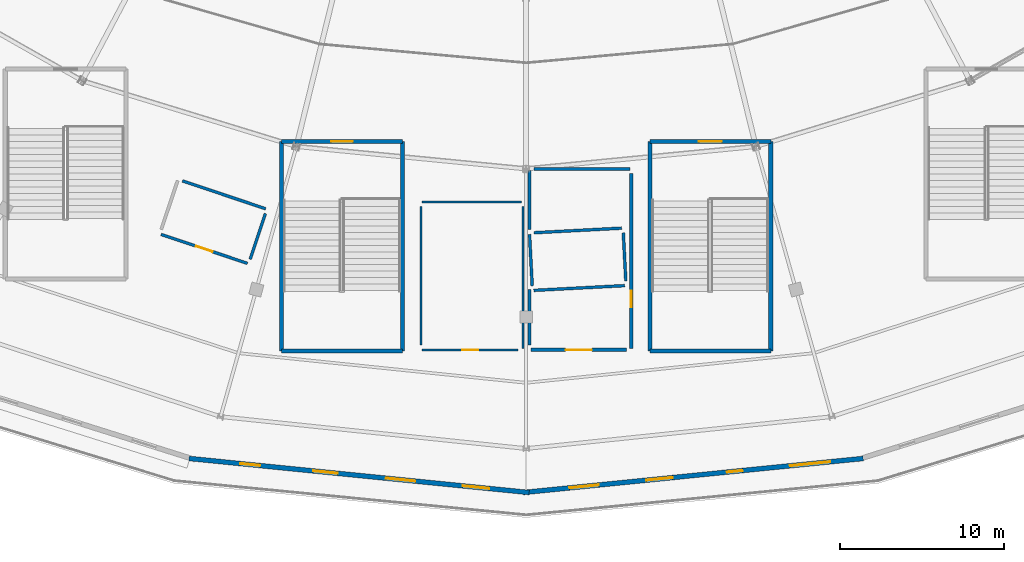
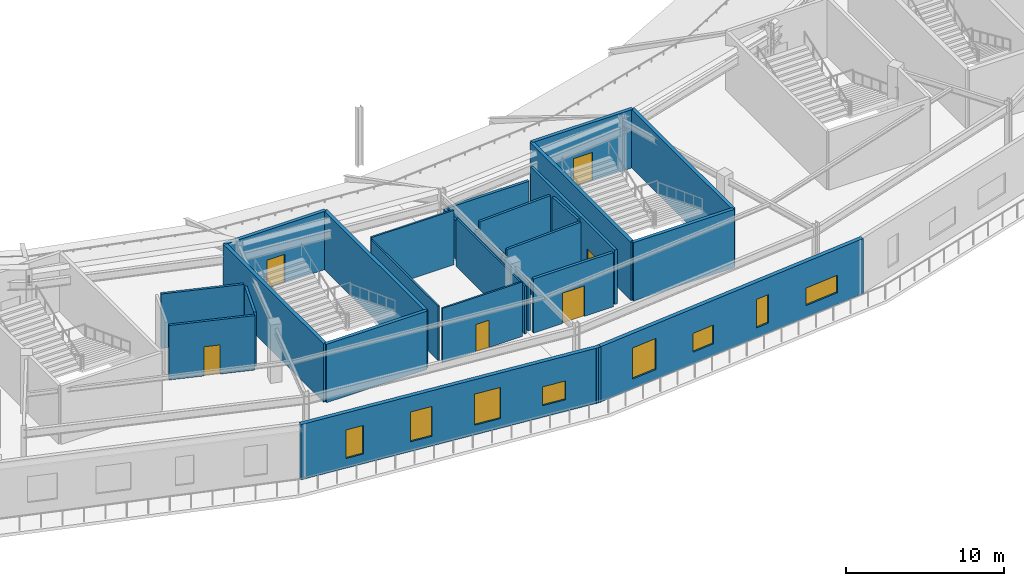
# One storey, part 34 of 63: 26 walls, 8 windows, 6 doors, 14 openings.
"""IFC4 building model written with IfcOpenShell, lengths in metres."""

from ifc_helpers import new_model, si_unit, direction, frame, frame_2d, origin, place, context, subcontext, project, spatial, rectangle, extrude, material, layer, layer_set, type_object, element, fill, save


model = new_model("IFC4")

# Units and contexts
model_context = context("Model", 3, precision=1e-05, world=origin(), true_north=direction((0.0, 1.0)))
body_context = subcontext(model_context, "Body", "Model", "MODEL_VIEW")
ifc_project = project(units=[si_unit("LENGTHUNIT", "METRE"), si_unit("AREAUNIT", "SQUARE_METRE"), si_unit("VOLUMEUNIT", "CUBIC_METRE"), si_unit("PLANEANGLEUNIT", "RADIAN"), si_unit("MASSUNIT", "GRAM", prefix="KILO")], contexts=[model_context])

# Site, building, storey
site_placement = place(None, origin())
site = spatial("IfcSite", under=ifc_project, at=site_placement, CompositionType="ELEMENT")
building_placement = place(site_placement, origin())
building = spatial("IfcBuilding", under=site, at=building_placement, Name="Kalgoora Escarpment Arena", CompositionType="ELEMENT")
storey_placement = place(building_placement, frame((0.0, 0.0, 14.39990234375)))
storey = spatial("IfcBuildingStorey", under=building, at=storey_placement, Name="L03", CompositionType="ELEMENT", Elevation=14.39990234375)

# Wall, openings, windows
ifc_material_1 = material(Name="Upper concourse insulated spandrel wall 40 MPa", Category="concrete")
ifc_layer_1 = layer(ifc_material_1, 0.2900390625)
ifc_layer_set_1 = layer_set([ifc_layer_1], Name="WAL-EXT-290")
wall_type_1 = type_object("IfcWallType", Name="WAL-EXT-290", PredefinedType="SOLIDWALL", material=ifc_layer_set_1)
wall_1_placement = place(storey_placement, frame((112.89599609375, 6.398681640625, 0.0), z_axis=(0.0, 0.0, 1.0), x_axis=(-0.995020426289, -0.099671215838, 0.0)))
wall_1 = element("IfcWall", 1, at=wall_1_placement, inside=storey, type_object=wall_type_1, Name="L03 limestone-faced external wall 071", PredefinedType="SOLIDWALL", context=body_context, shape_type="SweptSolid", body=[
    extrude(rectangle(XDim=20.78125, YDim=0.2900390625, at=frame_2d((10.390625, 0.0))), origin(), (0.0, 0.0, 1.0), 4.260009765625),
])
opening_1_placement = place(wall_1_placement, frame((2.02490234375, 0.0, 0.89990234375)))
opening_1 = element("IfcOpeningElement", 2, at=opening_1_placement, cuts=wall_1, Name="Opening W-15", PredefinedType="OPENING", context=body_context, shape_type="SweptSolid", body=[
    extrude(rectangle(XDim=2.449951171875, YDim=1.35009765625, at=frame_2d((1.22509765625, 0.675048828125))), frame((0.0, 0.155029296875, 0.0), z_axis=(0.0, -1.0, 0.0), x_axis=(1.0, 0.0, 0.0)), (0.0, 0.0, 1.0), 0.31005859375),
])
opening_2_placement = place(wall_1_placement, frame((7.375, 0.0, 0.75)))
opening_2 = element("IfcOpeningElement", 3, at=opening_2_placement, cuts=wall_1, Name="Opening W-17", PredefinedType="OPENING", context=body_context, shape_type="SweptSolid", body=[
    extrude(rectangle(XDim=0.949951171875, YDim=2.199951171875, at=frame_2d((0.47509765625, 1.10009765625))), frame((0.0, 0.155029296875, 0.0), z_axis=(0.0, -1.0, 0.0), x_axis=(1.0, 0.0, 0.0)), (0.0, 0.0, 1.0), 0.31005859375),
])
opening_3_placement = place(wall_1_placement, frame((11.64990234375, 0.0, 0.89990234375)))
opening_3 = element("IfcOpeningElement", 4, at=opening_3_placement, cuts=wall_1, Name="Opening W-19", PredefinedType="OPENING", context=body_context, shape_type="SweptSolid", body=[
    extrude(rectangle(XDim=1.60009765625, YDim=1.449951171875, at=frame_2d((0.800048828125, 0.72509765625))), frame((0.0, 0.155029296875, 0.0), z_axis=(0.0, -1.0, 0.0), x_axis=(1.0, 0.0, 0.0)), (0.0, 0.0, 1.0), 0.31005859375),
])
opening_4_placement = place(wall_1_placement, frame((16.14990234375, 0.0, 0.75)))
opening_4 = element("IfcOpeningElement", 5, at=opening_4_placement, cuts=wall_1, Name="Opening W-01", PredefinedType="OPENING", context=body_context, shape_type="SweptSolid", body=[
    extrude(rectangle(XDim=1.800048828125, YDim=2.39990234375, at=frame_2d((0.89990234375, 1.199951171875))), frame((0.0, 0.155029296875, 0.0), z_axis=(0.0, -1.0, 0.0), x_axis=(1.0, 0.0, 0.0)), (0.0, 0.0, 1.0), 0.31005859375),
])
ifc_material_2 = material(Name="Low-E solar-control double glazing in champagne frame", Category="glass")
window_type_1 = type_object("IfcWindowType", Name="WIN-BOH-1600x1450", PartitioningType="SINGLE_PANEL", PredefinedType="WINDOW", material=ifc_material_2)
window_1_placement = place(opening_3_placement, origin())
window_1 = element("IfcWindow", 6, at=window_1_placement, inside=storey, type_object=window_type_1, Name="L03 scheduled facade window 117", OverallHeight=1.449951171875, OverallWidth=1.60009765625, PartitioningType="SINGLE_PANEL", PredefinedType="WINDOW", context=body_context, shape_type="SweptSolid", body=[
    extrude(rectangle(XDim=1.60009765625, YDim=1.449951171875, at=frame_2d((0.800048828125, 0.72509765625))), frame((0.0, 0.030029296875, 0.0), z_axis=(0.0, -1.0, 0.0), x_axis=(1.0, 0.0, 0.0)), (0.0, 0.0, 1.0), 0.06005859375),
])
fill(opening_3, window_1)
ifc_material_3 = material(Name="Low-E solar-control double glazing in champagne frame", Category="glass")
window_type_2 = type_object("IfcWindowType", Name="WIN-CLER-2450x1350", PartitioningType="SINGLE_PANEL", PredefinedType="WINDOW", material=ifc_material_3)
window_2_placement = place(opening_1_placement, origin())
window_2 = element("IfcWindow", 7, at=window_2_placement, inside=storey, type_object=window_type_2, Name="L03 scheduled facade window 115", OverallHeight=1.35009765625, OverallWidth=2.449951171875, PartitioningType="SINGLE_PANEL", PredefinedType="WINDOW", context=body_context, shape_type="SweptSolid", body=[
    extrude(rectangle(XDim=2.449951171875, YDim=1.35009765625, at=frame_2d((1.22509765625, 0.675048828125))), frame((0.0, 0.030029296875, 0.0), z_axis=(0.0, -1.0, 0.0), x_axis=(1.0, 0.0, 0.0)), (0.0, 0.0, 1.0), 0.06005859375),
])
fill(opening_1, window_2)
ifc_material_4 = material(Name="Low-E solar-control double glazing in champagne frame", Category="glass")
window_type_3 = type_object("IfcWindowType", Name="WIN-DECO-1800x2400", PartitioningType="SINGLE_PANEL", PredefinedType="WINDOW", material=ifc_material_4)
window_3_placement = place(opening_4_placement, origin())
window_3 = element("IfcWindow", 8, at=window_3_placement, inside=storey, type_object=window_type_3, Name="L03 scheduled facade window 118", OverallHeight=2.39990234375, OverallWidth=1.800048828125, PartitioningType="SINGLE_PANEL", PredefinedType="WINDOW", context=body_context, shape_type="SweptSolid", body=[
    extrude(rectangle(XDim=1.800048828125, YDim=2.39990234375, at=frame_2d((0.89990234375, 1.199951171875))), frame((0.0, 0.030029296875, 0.0), z_axis=(0.0, -1.0, 0.0), x_axis=(1.0, 0.0, 0.0)), (0.0, 0.0, 1.0), 0.06005859375),
])
fill(opening_4, window_3)
ifc_material_5 = material(Name="Low-E solar-control double glazing in champagne frame", Category="glass")
window_type_4 = type_object("IfcWindowType", Name="WIN-SLOT-0950x2200", PartitioningType="SINGLE_PANEL", PredefinedType="WINDOW", material=ifc_material_5)
window_4_placement = place(opening_2_placement, origin())
window_4 = element("IfcWindow", 9, at=window_4_placement, inside=storey, type_object=window_type_4, Name="L03 scheduled facade window 116", OverallHeight=2.199951171875, OverallWidth=0.949951171875, PartitioningType="SINGLE_PANEL", PredefinedType="WINDOW", context=body_context, shape_type="SweptSolid", body=[
    extrude(rectangle(XDim=0.949951171875, YDim=2.199951171875, at=frame_2d((0.47509765625, 1.10009765625))), frame((0.0, 0.030029296875, 0.0), z_axis=(0.0, -1.0, 0.0), x_axis=(1.0, 0.0, 0.0)), (0.0, 0.0, 1.0), 0.06005859375),
])
fill(opening_2, window_4)

wall_2_placement = place(storey_placement, frame((92.581787109375, 4.327392578125, 0.0), z_axis=(0.0, 0.0, 1.0), x_axis=(-0.995020542998, 0.099670050731, 0.0)))
wall_2 = element("IfcWall", 10, at=wall_2_placement, inside=storey, type_object=wall_type_1, Name="L03 limestone-faced external wall 072", PredefinedType="SOLIDWALL", context=body_context, shape_type="SweptSolid", body=[
    extrude(rectangle(XDim=20.781494140625, YDim=0.2900390625, at=frame_2d((10.390625, 0.0))), origin(), (0.0, 0.0, 1.0), 4.260009765625),
])
opening_5_placement = place(wall_2_placement, frame((2.449951171875, 0.0, 0.89990234375)))
opening_5 = element("IfcOpeningElement", 11, at=opening_5_placement, cuts=wall_2, Name="Opening W-19", PredefinedType="OPENING", context=body_context, shape_type="SweptSolid", body=[
    extrude(rectangle(XDim=1.60009765625, YDim=1.449951171875, at=frame_2d((0.800048828125, 0.72509765625))), frame((0.0, 0.155029296875, 0.0), z_axis=(0.0, -1.0, 0.0), x_axis=(1.0, 0.0, 0.0)), (0.0, 0.0, 1.0), 0.31005859375),
])
opening_6_placement = place(wall_2_placement, frame((6.949951171875, 0.0, 0.75)))
opening_6 = element("IfcOpeningElement", 12, at=opening_6_placement, cuts=wall_2, Name="Opening W-01", PredefinedType="OPENING", context=body_context, shape_type="SweptSolid", body=[
    extrude(rectangle(XDim=1.800048828125, YDim=2.39990234375, at=frame_2d((0.89990234375, 1.199951171875))), frame((0.0, 0.155029296875, 0.0), z_axis=(0.0, -1.0, 0.0), x_axis=(1.0, 0.0, 0.0)), (0.0, 0.0, 1.0), 0.31005859375),
])
opening_7_placement = place(wall_2_placement, frame((11.699951171875, 0.0, 0.75)))
opening_7 = element("IfcOpeningElement", 13, at=opening_7_placement, cuts=wall_2, Name="Opening W-03", PredefinedType="OPENING", context=body_context, shape_type="SweptSolid", body=[
    extrude(rectangle(XDim=1.5, YDim=2.300048828125, at=frame_2d((0.75, 1.14990234375))), frame((0.0, 0.155029296875, 0.0), z_axis=(0.0, -1.0, 0.0), x_axis=(1.0, 0.0, 0.0)), (0.0, 0.0, 1.0), 0.31005859375),
])
opening_8_placement = place(wall_2_placement, frame((16.449951171875, 0.0, 0.75)))
opening_8 = element("IfcOpeningElement", 14, at=opening_8_placement, cuts=wall_2, Name="Opening W-05", PredefinedType="OPENING", context=body_context, shape_type="SweptSolid", body=[
    extrude(rectangle(XDim=1.199951171875, YDim=2.199951171875, at=frame_2d((0.60009765625, 1.10009765625))), frame((0.0, 0.155029296875, 0.0), z_axis=(0.0, -1.0, 0.0), x_axis=(1.0, 0.0, 0.0)), (0.0, 0.0, 1.0), 0.31005859375),
])
window_5_placement = place(opening_5_placement, origin())
window_5 = element("IfcWindow", 15, at=window_5_placement, inside=storey, type_object=window_type_1, Name="L03 scheduled facade window 119", OverallHeight=1.449951171875, OverallWidth=1.60009765625, PartitioningType="SINGLE_PANEL", PredefinedType="WINDOW", context=body_context, shape_type="SweptSolid", body=[
    extrude(rectangle(XDim=1.60009765625, YDim=1.449951171875, at=frame_2d((0.800048828125, 0.72509765625))), frame((0.0, 0.030029296875, 0.0), z_axis=(0.0, -1.0, 0.0), x_axis=(1.0, 0.0, 0.0)), (0.0, 0.0, 1.0), 0.06005859375),
])
fill(opening_5, window_5)
ifc_material_6 = material(Name="Low-E solar-control double glazing in champagne frame", Category="glass")
window_type_5 = type_object("IfcWindowType", Name="WIN-DECO-1200x2200", PartitioningType="SINGLE_PANEL", PredefinedType="WINDOW", material=ifc_material_6)
window_6_placement = place(opening_8_placement, origin())
window_6 = element("IfcWindow", 16, at=window_6_placement, inside=storey, type_object=window_type_5, Name="L03 scheduled facade window 122", OverallHeight=2.199951171875, OverallWidth=1.199951171875, PartitioningType="SINGLE_PANEL", PredefinedType="WINDOW", context=body_context, shape_type="SweptSolid", body=[
    extrude(rectangle(XDim=1.199951171875, YDim=2.199951171875, at=frame_2d((0.60009765625, 1.10009765625))), frame((0.0, 0.030029296875, 0.0), z_axis=(0.0, -1.0, 0.0), x_axis=(1.0, 0.0, 0.0)), (0.0, 0.0, 1.0), 0.06005859375),
])
fill(opening_8, window_6)
ifc_material_7 = material(Name="Low-E solar-control double glazing in champagne frame", Category="glass")
window_type_6 = type_object("IfcWindowType", Name="WIN-DECO-1500x2300", PartitioningType="SINGLE_PANEL", PredefinedType="WINDOW", material=ifc_material_7)
window_7_placement = place(opening_7_placement, origin())
window_7 = element("IfcWindow", 17, at=window_7_placement, inside=storey, type_object=window_type_6, Name="L03 scheduled facade window 121", OverallHeight=2.300048828125, OverallWidth=1.5, PartitioningType="SINGLE_PANEL", PredefinedType="WINDOW", context=body_context, shape_type="SweptSolid", body=[
    extrude(rectangle(XDim=1.5, YDim=2.300048828125, at=frame_2d((0.75, 1.14990234375))), frame((0.0, 0.030029296875, 0.0), z_axis=(0.0, -1.0, 0.0), x_axis=(1.0, 0.0, 0.0)), (0.0, 0.0, 1.0), 0.06005859375),
])
fill(opening_7, window_7)
window_8_placement = place(opening_6_placement, origin())
window_8 = element("IfcWindow", 18, at=window_8_placement, inside=storey, type_object=window_type_3, Name="L03 scheduled facade window 120", OverallHeight=2.39990234375, OverallWidth=1.800048828125, PartitioningType="SINGLE_PANEL", PredefinedType="WINDOW", context=body_context, shape_type="SweptSolid", body=[
    extrude(rectangle(XDim=1.800048828125, YDim=2.39990234375, at=frame_2d((0.89990234375, 1.199951171875))), frame((0.0, 0.030029296875, 0.0), z_axis=(0.0, -1.0, 0.0), x_axis=(1.0, 0.0, 0.0)), (0.0, 0.0, 1.0), 0.06005859375),
])
fill(opening_6, window_8)

# Walls
ifc_material_8 = material(Name="Acoustic masonry plant wall Concrete N40 (fc' 40 MPa)", Category="masonry")
ifc_layer_2 = layer(ifc_material_8, 0.205078125)
ifc_layer_set_2 = layer_set([ifc_layer_2], Name="WAL-PLANT-205")
wall_type_2 = type_object("IfcWallType", Name="WAL-PLANT-205", PredefinedType="SOLIDWALL", material=ifc_layer_set_2)
wall_3_placement = place(storey_placement, frame((92.60009765625, 20.330810546875, 0.0), z_axis=(0.0, 0.0, 1.0), x_axis=(0.0, 1.0, 0.0)))
element("IfcWall", 19, at=wall_3_placement, inside=storey, type_object=wall_type_2, Name="L03 South Concourse Rigging Store partition wall", PredefinedType="SOLIDWALL", context=body_context, shape_type="SweptSolid", body=[
    extrude(rectangle(XDim=3.589111328125, YDim=0.205078125, at=frame_2d((1.79443359375, 0.0))), origin(), (0.0, 0.0, 1.0), 2.943115234375),
])
wall_4_placement = place(storey_placement, frame((92.884765625, 24.0, 0.0), z_axis=(0.0, 0.0, 1.0), x_axis=(1.0, 0.0, 0.0)))
element("IfcWall", 20, at=wall_4_placement, inside=storey, type_object=wall_type_2, Name="L03 South Concourse Rigging Store partition wall", PredefinedType="SOLIDWALL", context=body_context, shape_type="SweptSolid", body=[
    extrude(rectangle(XDim=5.835205078125, YDim=0.205078125, at=frame_2d((2.91748046875, 0.0))), origin(), (0.0, 0.0, 1.0), 2.943115234375),
])

# Wall, opening, door
wall_5_placement = place(storey_placement, frame((98.800048828125, 23.715087890625, 0.0), z_axis=(0.0, 0.0, 1.0), x_axis=(0.0, -1.0, 0.0)))
wall_5 = element("IfcWall", 21, at=wall_5_placement, inside=storey, type_object=wall_type_2, Name="L03 South Concourse Rigging Store partition wall", PredefinedType="SOLIDWALL", context=body_context, shape_type="SweptSolid", body=[
    extrude(rectangle(XDim=10.635009765625, YDim=0.205078125, at=frame_2d((5.3173828125, 0.0))), origin(), (0.0, 0.0, 1.0), 4.18017578125),
])
opening_9_placement = place(wall_5_placement, frame((7.1298828125, 0.0, 0.0)))
opening_9 = element("IfcOpeningElement", 22, at=opening_9_placement, cuts=wall_5, Name="Opening FD-I115", PredefinedType="OPENING", context=body_context, shape_type="SweptSolid", body=[
    extrude(rectangle(XDim=1.0, YDim=2.199951171875, at=frame_2d((0.5, 1.10009765625))), frame((0.0, 0.112548828125, 0.0), z_axis=(0.0, -1.0, 0.0), x_axis=(1.0, 0.0, 0.0)), (0.0, 0.0, 1.0), 0.22509765625),
])
ifc_material_9 = material(Name="Veneered timber acoustic suite entrance door", Category="wood")
door_type_1 = type_object("IfcDoorType", Name="DR-SUITE-1000", OperationType="NOTDEFINED", PredefinedType="DOOR", material=ifc_material_9)
door_1_placement = place(opening_9_placement, origin())
door_1 = element("IfcDoor", 23, at=door_1_placement, inside=storey, type_object=door_type_1, Name="Hospitality Suite HS35 entrance door", OperationType="SINGLE_SWING_LEFT", OverallHeight=2.199951171875, OverallWidth=1.0, PredefinedType="DOOR", context=body_context, shape_type="SweptSolid", body=[
    extrude(rectangle(XDim=1.0, YDim=2.199951171875, at=frame_2d((0.5, 1.10009765625))), frame((0.0, 0.02490234375, 0.0), z_axis=(0.0, -1.0, 0.0), x_axis=(1.0, 0.0, 0.0)), (0.0, 0.0, 1.0), 0.050048828125),
])
fill(opening_9, door_1)

wall_6_placement = place(storey_placement, frame((98.51513671875, 13.0, 0.0), z_axis=(0.0, 0.0, 1.0), x_axis=(-1.0, 0.0, 0.0)))
wall_6 = element("IfcWall", 24, at=wall_6_placement, inside=storey, type_object=wall_type_2, Name="L03 South Concourse Rigging Store partition wall", PredefinedType="SOLIDWALL", context=body_context, shape_type="SweptSolid", body=[
    extrude(rectangle(XDim=5.835205078125, YDim=0.205078125, at=frame_2d((2.91748046875, 0.0))), origin(), (0.0, 0.0, 1.0), 4.18017578125),
])
opening_10_placement = place(wall_6_placement, frame((2.11767578125, 0.0, 0.0)))
opening_10 = element("IfcOpeningElement", 25, at=opening_10_placement, cuts=wall_6, Name="Opening FD-I129", PredefinedType="OPENING", context=body_context, shape_type="SweptSolid", body=[
    extrude(rectangle(XDim=1.60009765625, YDim=2.35009765625, at=frame_2d((0.800048828125, 1.175048828125))), frame((0.0, 0.112548828125, 0.0), z_axis=(0.0, -1.0, 0.0), x_axis=(1.0, 0.0, 0.0)), (0.0, 0.0, 1.0), 0.22509765625),
])
ifc_material_10 = material(Name="Acoustic steel double plant room door", Category="steel")
door_type_2 = type_object("IfcDoorType", Name="DR-PLANT-1600", OperationType="NOTDEFINED", PredefinedType="DOOR", material=ifc_material_10)
door_2_placement = place(opening_10_placement, origin())
door_2 = element("IfcDoor", 26, at=door_2_placement, inside=storey, type_object=door_type_2, Name="South Concourse Rigging Store entrance door", OperationType="DOUBLE_DOOR_SINGLE_SWING", OverallHeight=2.35009765625, OverallWidth=1.60009765625, PredefinedType="DOOR", context=body_context, shape_type="SweptSolid", body=[
    extrude(rectangle(XDim=1.60009765625, YDim=2.35009765625, at=frame_2d((0.800048828125, 1.175048828125))), frame((0.0, 0.02490234375, 0.0), z_axis=(0.0, -1.0, 0.0), x_axis=(1.0, 0.0, 0.0)), (0.0, 0.0, 1.0), 0.050048828125),
])
fill(opening_10, door_2)

# Walls
wall_7_placement = place(storey_placement, frame((92.60009765625, 13.284912109375, 0.0), z_axis=(0.0, 0.0, 1.0), x_axis=(0.0, 1.0, 0.0)))
element("IfcWall", 27, at=wall_7_placement, inside=storey, type_object=wall_type_2, Name="L03 South Concourse Rigging Store partition wall", PredefinedType="SOLIDWALL", context=body_context, shape_type="SweptSolid", body=[
    extrude(rectangle(XDim=3.393798828125, YDim=0.205078125, at=frame_2d((1.69677734375, 0.0))), origin(), (0.0, 0.0, 1.0), 3.695068359375),
])
ifc_material_11 = material(Name="Concrete N50 (fc' 50 MPa)", Category="concrete")
ifc_layer_3 = layer(ifc_material_11, 0.25)
ifc_layer_set_3 = layer_set([ifc_layer_3], Name="WAL-STAIR-250")
wall_type_3 = type_object("IfcWallType", Name="WAL-STAIR-250", PredefinedType="SHEAR", material=ifc_layer_set_3)
wall_8_placement = place(storey_placement, frame((77.52490234375, 12.925048828125, 0.0), z_axis=(0.0, 0.0, 1.0), x_axis=(1.0, 0.0, 0.0)))
element("IfcWall", 28, at=wall_8_placement, inside=storey, type_object=wall_type_3, Name="Exit stair ST14 L03 south wall", PredefinedType="SHEAR", context=body_context, shape_type="SweptSolid", body=[
    extrude(rectangle(XDim=7.35009765625, YDim=0.25, at=frame_2d((3.675048828125, 0.0))), origin(), (0.0, 0.0, 1.0), 4.5),
])

# Wall, opening, door
wall_9_placement = place(storey_placement, frame((77.52490234375, 25.675048828125, 0.0), z_axis=(0.0, 0.0, 1.0), x_axis=(1.0, 0.0, 0.0)))
wall_9 = element("IfcWall", 29, at=wall_9_placement, inside=storey, type_object=wall_type_3, Name="Exit stair ST14 L03 north wall", PredefinedType="SHEAR", context=body_context, shape_type="SweptSolid", body=[
    extrude(rectangle(XDim=7.35009765625, YDim=0.25, at=frame_2d((3.675048828125, 0.0))), origin(), (0.0, 0.0, 1.0), 4.5),
])
opening_11_placement = place(wall_9_placement, frame((3.014892578125, 0.0, 0.0)))
opening_11 = element("IfcOpeningElement", 30, at=opening_11_placement, cuts=wall_9, Name="Opening FD-ST14", PredefinedType="OPENING", context=body_context, shape_type="SweptSolid", body=[
    extrude(rectangle(XDim=1.320068359375, YDim=2.199951171875, at=frame_2d((0.66015625, 1.10009765625))), frame((0.0, 0.135009765625, 0.0), z_axis=(0.0, -1.0, 0.0), x_axis=(1.0, 0.0, 0.0)), (0.0, 0.0, 1.0), 0.27001953125),
])
ifc_material_12 = material(Name="Fire-rated steel stair leaf with vision panel", Category="steel")
door_type_3 = type_object("IfcDoorType", Name="DR-STAIR-1320", OperationType="NOTDEFINED", PredefinedType="DOOR", material=ifc_material_12)
door_3_placement = place(opening_11_placement, origin())
door_3 = element("IfcDoor", 31, at=door_3_placement, inside=storey, type_object=door_type_3, Name="Fire-isolated stair ST14 L03 egress door", OperationType="SINGLE_SWING_LEFT", OverallHeight=2.199951171875, OverallWidth=1.320068359375, PredefinedType="DOOR", context=body_context, shape_type="SweptSolid", body=[
    extrude(rectangle(XDim=1.320068359375, YDim=2.199951171875, at=frame_2d((0.66015625, 1.10009765625))), frame((0.0, 0.02490234375, 0.0), z_axis=(0.0, -1.0, 0.0), x_axis=(1.0, 0.0, 0.0)), (0.0, 0.0, 1.0), 0.050048828125),
])
fill(opening_11, door_3)

# Walls
for number, where, z_axis, x_axis, name in (
    (32, (77.52490234375, 12.925048828125, 0.0), (0.0, 0.0, 1.0), (0.0, 1.0, 0.0), "Exit stair ST14 L03 west wall"),
    (33, (84.875, 12.925048828125, 0.0), (0.0, 0.0, 1.0), (0.0, 1.0, 0.0), "Exit stair ST14 L03 east wall"),
):
    element("IfcWall", number, at=place(storey_placement, frame(where, z_axis=z_axis, x_axis=x_axis)), inside=storey, type_object=wall_type_3, Name=name, PredefinedType="SHEAR", context=body_context, shape_type="SweptSolid", body=[
        extrude(rectangle(XDim=12.75, YDim=0.25, at=frame_2d((6.375, 0.0))), origin(), (0.0, 0.0, 1.0), 4.5),
    ])
wall_10_placement = place(storey_placement, frame((99.925048828125, 12.925048828125, 0.0), z_axis=(0.0, 0.0, 1.0), x_axis=(1.0, 0.0, 0.0)))
element("IfcWall", 34, at=wall_10_placement, inside=storey, type_object=wall_type_3, Name="Exit stair ST15 L03 south wall", PredefinedType="SHEAR", context=body_context, shape_type="SweptSolid", body=[
    extrude(rectangle(XDim=7.349853515625, YDim=0.25, at=frame_2d((3.6748046875, 0.0))), origin(), (0.0, 0.0, 1.0), 4.5),
])

# Wall, opening, door
wall_11_placement = place(storey_placement, frame((99.925048828125, 25.675048828125, 0.0), z_axis=(0.0, 0.0, 1.0), x_axis=(1.0, 0.0, 0.0)))
wall_11 = element("IfcWall", 35, at=wall_11_placement, inside=storey, type_object=wall_type_3, Name="Exit stair ST15 L03 north wall", PredefinedType="SHEAR", context=body_context, shape_type="SweptSolid", body=[
    extrude(rectangle(XDim=7.349853515625, YDim=0.25, at=frame_2d((3.6748046875, 0.0))), origin(), (0.0, 0.0, 1.0), 4.5),
])
opening_12_placement = place(wall_11_placement, frame((2.97509765625, 0.0, 0.0)))
opening_12 = element("IfcOpeningElement", 36, at=opening_12_placement, cuts=wall_11, Name="Opening FD-ST15", PredefinedType="OPENING", context=body_context, shape_type="SweptSolid", body=[
    extrude(rectangle(XDim=1.39990234375, YDim=2.199951171875, at=frame_2d((0.699951171875, 1.10009765625))), frame((0.0, 0.135009765625, 0.0), z_axis=(0.0, -1.0, 0.0), x_axis=(1.0, 0.0, 0.0)), (0.0, 0.0, 1.0), 0.27001953125),
])
ifc_material_13 = material(Name="Fire-rated steel stair leaf with vision panel", Category="steel")
door_type_4 = type_object("IfcDoorType", Name="DR-STAIR-1400", OperationType="NOTDEFINED", PredefinedType="DOOR", material=ifc_material_13)
door_4_placement = place(opening_12_placement, origin())
door_4 = element("IfcDoor", 37, at=door_4_placement, inside=storey, type_object=door_type_4, Name="Fire-isolated stair ST15 L03 egress door", OperationType="SINGLE_SWING_RIGHT", OverallHeight=2.199951171875, OverallWidth=1.39990234375, PredefinedType="DOOR", context=body_context, shape_type="SweptSolid", body=[
    extrude(rectangle(XDim=1.39990234375, YDim=2.199951171875, at=frame_2d((0.699951171875, 1.10009765625))), frame((0.0, 0.02490234375, 0.0), z_axis=(0.0, -1.0, 0.0), x_axis=(1.0, 0.0, 0.0)), (0.0, 0.0, 1.0), 0.050048828125),
])
fill(opening_12, door_4)

# Walls
for number, where, z_axis, x_axis, name in (
    (38, (99.925048828125, 12.925048828125, 0.0), (0.0, 0.0, 1.0), (0.0, 1.0, 0.0), "Exit stair ST15 L03 west wall"),
    (39, (107.27490234375, 12.925048828125, 0.0), (0.0, 0.0, 1.0), (0.0, 1.0, 0.0), "Exit stair ST15 L03 east wall"),
):
    element("IfcWall", number, at=place(storey_placement, frame(where, z_axis=z_axis, x_axis=x_axis)), inside=storey, type_object=wall_type_3, Name=name, PredefinedType="SHEAR", context=body_context, shape_type="SweptSolid", body=[
        extrude(rectangle(XDim=12.75, YDim=0.25, at=frame_2d((6.375, 0.0))), origin(), (0.0, 0.0, 1.0), 4.5),
    ])

# Wall, opening, door
ifc_material_14 = material(Name="Twin-stud acoustic plasterboard FRL -/60/60", Category="gypsum")
ifc_layer_4 = layer(ifc_material_14, 0.175048828125)
ifc_layer_set_4 = layer_set([ifc_layer_4], Name="WAL-SUITE-175")
wall_type_4 = type_object("IfcWallType", Name="WAL-SUITE-175", PredefinedType="PARTITIONING", material=ifc_layer_set_4)
wall_12_placement = place(storey_placement, frame((75.44921875, 18.265380859375, 0.0), z_axis=(0.0, 0.0, 1.0), x_axis=(-0.948325732887, 0.317298446804, 0.0)))
wall_12 = element("IfcWall", 40, at=wall_12_placement, inside=storey, type_object=wall_type_4, Name="L03 Hospitality Suite HS34 partition wall", PredefinedType="PARTITIONING", context=body_context, shape_type="SweptSolid", body=[
    extrude(rectangle(XDim=5.5400390625, YDim=0.175048828125, at=frame_2d((2.77001953125, 0.0))), origin(), (0.0, 0.0, 1.0), 4.2001953125),
])
opening_13_placement = place(wall_12_placement, frame((2.244873046875, 0.0, 0.0)))
opening_13 = element("IfcOpeningElement", 41, at=opening_13_placement, cuts=wall_12, Name="Opening FD-I114", PredefinedType="OPENING", context=body_context, shape_type="SweptSolid", body=[
    extrude(rectangle(XDim=1.050048828125, YDim=2.25, at=frame_2d((0.52490234375, 1.125))), frame((0.0, 0.097412109375, 0.0), z_axis=(0.0, -1.0, 0.0), x_axis=(1.0, 0.0, 0.0)), (0.0, 0.0, 1.0), 0.195068359375),
])
ifc_material_15 = material(Name="Veneered timber acoustic suite entrance door", Category="wood")
door_type_5 = type_object("IfcDoorType", Name="DR-SUITE-1050", OperationType="NOTDEFINED", PredefinedType="DOOR", material=ifc_material_15)
door_5_placement = place(opening_13_placement, origin())
door_5 = element("IfcDoor", 42, at=door_5_placement, inside=storey, type_object=door_type_5, Name="Hospitality Suite HS34 entrance door", OperationType="SINGLE_SWING_RIGHT", OverallHeight=2.25, OverallWidth=1.050048828125, PredefinedType="DOOR", context=body_context, shape_type="SweptSolid", body=[
    extrude(rectangle(XDim=1.050048828125, YDim=2.25, at=frame_2d((0.52490234375, 1.125))), frame((0.0, 0.02490234375, 0.0), z_axis=(0.0, -1.0, 0.0), x_axis=(1.0, 0.0, 0.0)), (0.0, 0.0, 1.0), 0.050048828125),
])
fill(opening_13, door_5)

# Walls
wall_13_placement = place(storey_placement, frame((71.500244140625, 23.27734375, 0.0), z_axis=(0.0, 0.0, 1.0), x_axis=(0.94832576744, -0.317298343535, 0.0)))
element("IfcWall", 43, at=wall_13_placement, inside=storey, type_object=wall_type_4, Name="L03 Hospitality Suite HS34 partition wall", PredefinedType="PARTITIONING", context=body_context, shape_type="SweptSolid", body=[
    extrude(rectangle(XDim=5.335205078125, YDim=0.175048828125, at=frame_2d((2.66748046875, 0.0))), origin(), (0.0, 0.0, 1.0), 4.2001953125),
])
wall_14_placement = place(storey_placement, frame((76.545166015625, 21.2890625, 0.0), z_axis=(0.0, 0.0, 1.0), x_axis=(-0.317252319858, -0.948341165164, 0.0)))
element("IfcWall", 44, at=wall_14_placement, inside=storey, type_object=wall_type_4, Name="L03 Hospitality Suite HS34 partition wall", PredefinedType="PARTITIONING", context=body_context, shape_type="SweptSolid", body=[
    extrude(rectangle(XDim=2.930419921875, YDim=0.175048828125, at=frame_2d((1.46533203125, 0.0))), origin(), (0.0, 0.0, 1.0), 4.2001953125),
])
wall_15_placement = place(storey_placement, frame((98.395263671875, 16.909912109375, 0.0), z_axis=(0.0, 0.0, 1.0), x_axis=(-0.998628642553, -0.052352977686, 0.0)))
element("IfcWall", 45, at=wall_15_placement, inside=storey, type_object=wall_type_4, Name="L03 Hospitality Suite HS35 partition wall", PredefinedType="PARTITIONING", context=body_context, shape_type="SweptSolid", body=[
    extrude(rectangle(XDim=5.5400390625, YDim=0.175048828125, at=frame_2d((2.77001953125, 0.0))), origin(), (0.0, 0.0, 1.0), 4.18017578125),
])
wall_16_placement = place(storey_placement, frame((92.76806640625, 16.900146484375, 0.0), z_axis=(0.0, 0.0, 1.0), x_axis=(-0.05232994845, 0.998629849592, 0.0)))
element("IfcWall", 46, at=wall_16_placement, inside=storey, type_object=wall_type_4, Name="L03 Hospitality Suite HS35 partition wall", PredefinedType="PARTITIONING", context=body_context, shape_type="SweptSolid", body=[
    extrude(rectangle(XDim=3.13525390625, YDim=0.175048828125, at=frame_2d((1.567626953125, 0.0))), origin(), (0.0, 0.0, 1.0), 3.695068359375),
])
wall_17_placement = place(storey_placement, frame((92.88427734375, 20.125732421875, 0.0), z_axis=(0.0, 0.0, 1.0), x_axis=(0.998628805132, 0.052349876418, 0.0)))
element("IfcWall", 47, at=wall_17_placement, inside=storey, type_object=wall_type_4, Name="L03 Hospitality Suite HS35 partition wall", PredefinedType="PARTITIONING", context=body_context, shape_type="SweptSolid", body=[
    extrude(rectangle(XDim=5.335205078125, YDim=0.175048828125, at=frame_2d((2.66748046875, 0.0))), origin(), (0.0, 0.0, 1.0), 4.18017578125),
])
wall_18_placement = place(storey_placement, frame((98.306884765625, 20.124755859375, 0.0), z_axis=(0.0, 0.0, 1.0), x_axis=(0.052322691835, -0.998630229824, 0.0)))
element("IfcWall", 48, at=wall_18_placement, inside=storey, type_object=wall_type_4, Name="L03 Hospitality Suite HS35 partition wall", PredefinedType="PARTITIONING", context=body_context, shape_type="SweptSolid", body=[
    extrude(rectangle(XDim=2.93017578125, YDim=0.175048828125, at=frame_2d((1.465087890625, 0.0))), origin(), (0.0, 0.0, 1.0), 4.18017578125),
])
ifc_material_16 = material(Name="Moisture-resistant wet-area partition", Category="gypsum")
ifc_layer_5 = layer(ifc_material_16, 0.125)
ifc_layer_set_5 = layer_set([ifc_layer_5], Name="WAL-WC-125")
wall_type_5 = type_object("IfcWallType", Name="WAL-WC-125", PredefinedType="PARTITIONING", material=ifc_layer_set_5)
wall_19_placement = place(storey_placement, frame((86.080078125, 22.0, 0.0), z_axis=(0.0, 0.0, 1.0), x_axis=(1.0, 0.0, 0.0)))
element("IfcWall", 49, at=wall_19_placement, inside=storey, type_object=wall_type_5, Name="L03 Upper Concourse Accessible WC partition wall", PredefinedType="PARTITIONING", context=body_context, shape_type="SweptSolid", body=[
    extrude(rectangle(XDim=6.0400390625, YDim=0.125, at=frame_2d((3.02001953125, 0.0))), origin(), (0.0, 0.0, 1.0), 4.2001953125),
])
wall_20_placement = place(storey_placement, frame((92.199951171875, 21.715087890625, 0.0), z_axis=(0.0, 0.0, 1.0), x_axis=(0.0, -1.0, 0.0)))
element("IfcWall", 50, at=wall_20_placement, inside=storey, type_object=wall_type_5, Name="L03 Upper Concourse Accessible WC partition wall", PredefinedType="PARTITIONING", context=body_context, shape_type="SweptSolid", body=[
    extrude(rectangle(XDim=8.635009765625, YDim=0.125, at=frame_2d((4.3173828125, 0.0))), origin(), (0.0, 0.0, 1.0), 3.695068359375),
])

# Wall, opening, door
wall_21_placement = place(storey_placement, frame((91.915283203125, 13.0, 0.0), z_axis=(0.0, 0.0, 1.0), x_axis=(-1.0, 0.0, 0.0)))
wall_21 = element("IfcWall", 51, at=wall_21_placement, inside=storey, type_object=wall_type_5, Name="L03 Upper Concourse Accessible WC partition wall", PredefinedType="PARTITIONING", context=body_context, shape_type="SweptSolid", body=[
    extrude(rectangle(XDim=5.835205078125, YDim=0.125, at=frame_2d((2.91748046875, 0.0))), origin(), (0.0, 0.0, 1.0), 4.2001953125),
])
opening_14_placement = place(wall_21_placement, frame((2.442626953125, 0.0, 0.0)))
opening_14 = element("IfcOpeningElement", 52, at=opening_14_placement, cuts=wall_21, Name="Opening D-I128", PredefinedType="OPENING", context=body_context, shape_type="SweptSolid", body=[
    extrude(rectangle(XDim=0.949951171875, YDim=2.10009765625, at=frame_2d((0.47509765625, 1.050048828125))), frame((0.0, 0.072509765625, 0.0), z_axis=(0.0, -1.0, 0.0), x_axis=(1.0, 0.0, 0.0)), (0.0, 0.0, 1.0), 0.14501953125),
])
ifc_material_17 = material(Name="Moisture-resistant laminate accessible WC door")
door_type_6 = type_object("IfcDoorType", Name="DR-WC-0950", OperationType="NOTDEFINED", PredefinedType="DOOR", material=ifc_material_17)
door_6_placement = place(opening_14_placement, origin())
door_6 = element("IfcDoor", 53, at=door_6_placement, inside=storey, type_object=door_type_6, Name="Upper Concourse Accessible WC entrance door", OperationType="SINGLE_SWING_LEFT", OverallHeight=2.10009765625, OverallWidth=0.949951171875, PredefinedType="DOOR", context=body_context, shape_type="SweptSolid", body=[
    extrude(rectangle(XDim=0.949951171875, YDim=2.10009765625, at=frame_2d((0.47509765625, 1.050048828125))), frame((0.0, 0.02490234375, 0.0), z_axis=(0.0, -1.0, 0.0), x_axis=(1.0, 0.0, 0.0)), (0.0, 0.0, 1.0), 0.050048828125),
])
fill(opening_14, door_6)

# Wall
wall_22_placement = place(storey_placement, frame((86.0, 13.284912109375, 0.0), z_axis=(0.0, 0.0, 1.0), x_axis=(0.0, 1.0, 0.0)))
element("IfcWall", 54, at=wall_22_placement, inside=storey, type_object=wall_type_5, Name="L03 Upper Concourse Accessible WC partition wall", PredefinedType="PARTITIONING", context=body_context, shape_type="SweptSolid", body=[
    extrude(rectangle(XDim=8.43017578125, YDim=0.125, at=frame_2d((4.215087890625, 0.0))), origin(), (0.0, 0.0, 1.0), 4.2001953125),
])

save(model, "model.ifc")
